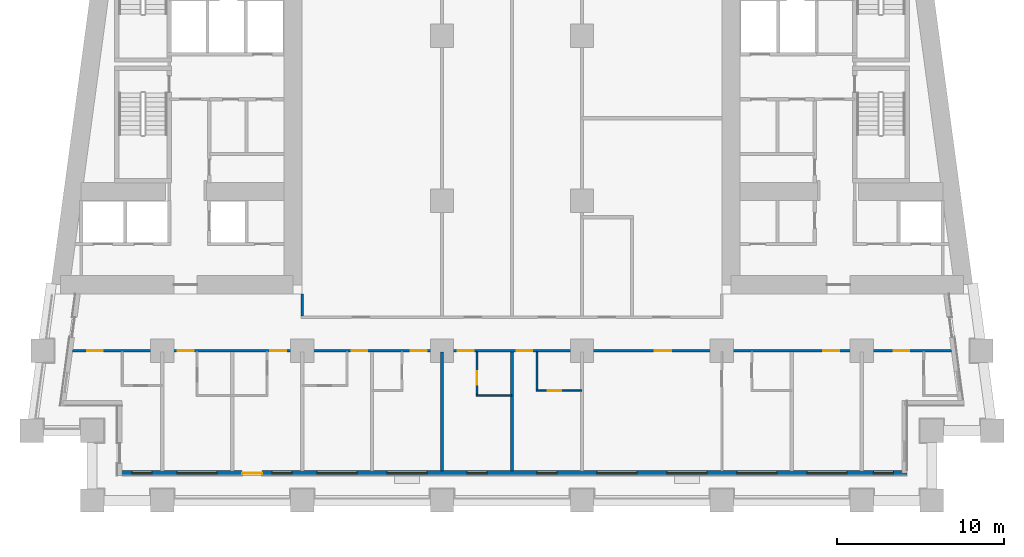
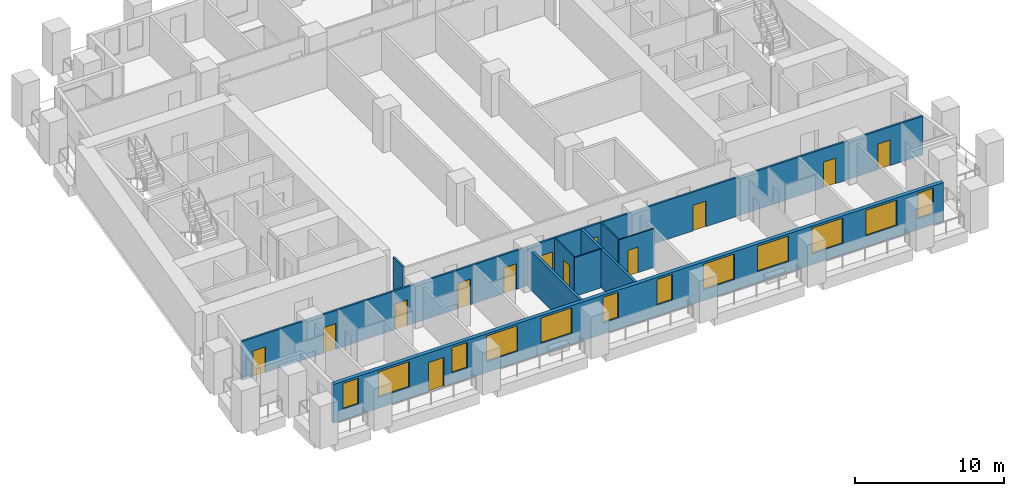
# One storey, part 3 of 13: 13 doors, 12 windows, 9 walls, 25 openings.
"""IFC4 building model written with IfcOpenShell, lengths in metres."""

from ifc_helpers import new_model, si_unit, direction, frame, frame_2d, origin, place, context, subcontext, project, spatial, rectangle, extrude, material, layer, layer_set, type_object, element, fill, save


model = new_model("IFC4")

# Units and contexts
model_context = context("Model", 3, precision=1e-05, world=origin(), true_north=direction((0.0, 1.0)))
body_context = subcontext(model_context, "Body", "Model", "MODEL_VIEW")
ifc_project = project(units=[si_unit("LENGTHUNIT", "METRE"), si_unit("AREAUNIT", "SQUARE_METRE"), si_unit("VOLUMEUNIT", "CUBIC_METRE"), si_unit("PLANEANGLEUNIT", "RADIAN"), si_unit("MASSUNIT", "GRAM", prefix="KILO")], contexts=[model_context])

# Site, building, storey
site_placement = place(None, origin())
site = spatial("IfcSite", under=ifc_project, at=site_placement, CompositionType="ELEMENT")
building_placement = place(site_placement, origin())
building = spatial("IfcBuilding", under=site, at=building_placement, Name="Candeia Pilgrim Tower and Theatre", CompositionType="ELEMENT")
storey_placement = place(building_placement, frame((0.0, 0.0, 70.5)))
storey = spatial("IfcBuildingStorey", under=building, at=storey_placement, Name="L15", CompositionType="ELEMENT", Elevation=70.5)

# Wall, openings, door, windows
ifc_material_1 = material(Name="Ceramic block masonry", Category="masonry")
ifc_layer_1 = layer(ifc_material_1, 0.300048828125)
ifc_layer_set_1 = layer_set([ifc_layer_1], Name="EW1 glazing-line wall 300")
wall_type_1 = type_object("IfcWallType", Name="EW1 glazing-line wall 300", PredefinedType="SOLIDWALL", material=ifc_layer_set_1)
wall_1_placement = place(storey_placement, frame((89.85009765625, 99.64990234375, 0.0), z_axis=(0.0, 0.0, 1.0), x_axis=(1.0, 0.0, 0.0)))
wall_1 = element("IfcWall", 1, at=wall_1_placement, inside=storey, type_object=wall_type_1, Name="External wall L15-0.0", PredefinedType="SOLIDWALL", context=body_context, shape_type="SweptSolid", body=[
    extrude(rectangle(XDim=47.25, YDim=0.300048828125, at=frame_2d((23.625, 0.0))), origin(), (0.0, 0.0, 1.0), 3.179931640625),
])
opening_1_placement = place(wall_1_placement, frame((0.72509765625, 0.0, 0.89990234375)))
opening_1 = element("IfcOpeningElement", 2, at=opening_1_placement, cuts=wall_1, Name="Opening W-B", PredefinedType="OPENING", context=body_context, shape_type="SweptSolid", body=[
    extrude(rectangle(XDim=1.199951171875, YDim=2.10009765625, at=frame_2d((0.60009765625, 1.050048828125))), frame((0.0, 0.16015625, 0.0), z_axis=(0.0, -1.0, 0.0), x_axis=(1.0, 0.0, 0.0)), (0.0, 0.0, 1.0), 0.320068359375),
])
opening_2_placement = place(wall_1_placement, frame((3.449951171875, 0.0, 0.89990234375)))
opening_2 = element("IfcOpeningElement", 3, at=opening_2_placement, cuts=wall_1, Name="Opening W-A", PredefinedType="OPENING", context=body_context, shape_type="SweptSolid", body=[
    extrude(rectangle(XDim=2.39990234375, YDim=2.10009765625, at=frame_2d((1.199951171875, 1.050048828125))), frame((0.0, 0.16015625, 0.0), z_axis=(0.0, -1.0, 0.0), x_axis=(1.0, 0.0, 0.0)), (0.0, 0.0, 1.0), 0.320068359375),
])
opening_3_placement = place(wall_1_placement, frame((7.35009765625, 0.0, 0.0)))
opening_3 = element("IfcOpeningElement", 4, at=opening_3_placement, cuts=wall_1, Name="Opening L15-ED166", PredefinedType="OPENING", context=body_context, shape_type="SweptSolid", body=[
    extrude(rectangle(XDim=1.199951171875, YDim=2.39990234375, at=frame_2d((0.60009765625, 1.199951171875))), frame((0.0, 0.16015625, 0.0), z_axis=(0.0, -1.0, 0.0), x_axis=(1.0, 0.0, 0.0)), (0.0, 0.0, 1.0), 0.320068359375),
])
opening_4_placement = place(wall_1_placement, frame((9.14990234375, 0.0, 0.89990234375)))
opening_4 = element("IfcOpeningElement", 5, at=opening_4_placement, cuts=wall_1, Name="Opening W-B", PredefinedType="OPENING", context=body_context, shape_type="SweptSolid", body=[
    extrude(rectangle(XDim=1.199951171875, YDim=2.10009765625, at=frame_2d((0.60009765625, 1.050048828125))), frame((0.0, 0.16015625, 0.0), z_axis=(0.0, -1.0, 0.0), x_axis=(1.0, 0.0, 0.0)), (0.0, 0.0, 1.0), 0.320068359375),
])
opening_5_placement = place(wall_1_placement, frame((11.85009765625, 0.0, 0.89990234375)))
opening_5 = element("IfcOpeningElement", 6, at=opening_5_placement, cuts=wall_1, Name="Opening W-A", PredefinedType="OPENING", context=body_context, shape_type="SweptSolid", body=[
    extrude(rectangle(XDim=2.39990234375, YDim=2.10009765625, at=frame_2d((1.199951171875, 1.050048828125))), frame((0.0, 0.16015625, 0.0), z_axis=(0.0, -1.0, 0.0), x_axis=(1.0, 0.0, 0.0)), (0.0, 0.0, 1.0), 0.320068359375),
])
opening_6_placement = place(wall_1_placement, frame((16.050048828125, 0.0, 0.89990234375)))
opening_6 = element("IfcOpeningElement", 7, at=opening_6_placement, cuts=wall_1, Name="Opening W-A", PredefinedType="OPENING", context=body_context, shape_type="SweptSolid", body=[
    extrude(rectangle(XDim=2.39990234375, YDim=2.10009765625, at=frame_2d((1.199951171875, 1.050048828125))), frame((0.0, 0.16015625, 0.0), z_axis=(0.0, -1.0, 0.0), x_axis=(1.0, 0.0, 0.0)), (0.0, 0.0, 1.0), 0.320068359375),
])
opening_7_placement = place(wall_1_placement, frame((20.85009765625, 0.0, 0.89990234375)))
opening_7 = element("IfcOpeningElement", 8, at=opening_7_placement, cuts=wall_1, Name="Opening W-B", PredefinedType="OPENING", context=body_context, shape_type="SweptSolid", body=[
    extrude(rectangle(XDim=1.199951171875, YDim=2.10009765625, at=frame_2d((0.60009765625, 1.050048828125))), frame((0.0, 0.16015625, 0.0), z_axis=(0.0, -1.0, 0.0), x_axis=(1.0, 0.0, 0.0)), (0.0, 0.0, 1.0), 0.320068359375),
])
opening_8_placement = place(wall_1_placement, frame((25.050048828125, 0.0, 0.89990234375)))
opening_8 = element("IfcOpeningElement", 9, at=opening_8_placement, cuts=wall_1, Name="Opening W-B", PredefinedType="OPENING", context=body_context, shape_type="SweptSolid", body=[
    extrude(rectangle(XDim=1.199951171875, YDim=2.10009765625, at=frame_2d((0.60009765625, 1.050048828125))), frame((0.0, 0.16015625, 0.0), z_axis=(0.0, -1.0, 0.0), x_axis=(1.0, 0.0, 0.0)), (0.0, 0.0, 1.0), 0.320068359375),
])
opening_9_placement = place(wall_1_placement, frame((28.64990234375, 0.0, 0.89990234375)))
opening_9 = element("IfcOpeningElement", 10, at=opening_9_placement, cuts=wall_1, Name="Opening W-A", PredefinedType="OPENING", context=body_context, shape_type="SweptSolid", body=[
    extrude(rectangle(XDim=2.39990234375, YDim=2.10009765625, at=frame_2d((1.199951171875, 1.050048828125))), frame((0.0, 0.16015625, 0.0), z_axis=(0.0, -1.0, 0.0), x_axis=(1.0, 0.0, 0.0)), (0.0, 0.0, 1.0), 0.320068359375),
])
opening_10_placement = place(wall_1_placement, frame((32.85009765625, 0.0, 0.89990234375)))
opening_10 = element("IfcOpeningElement", 11, at=opening_10_placement, cuts=wall_1, Name="Opening W-A", PredefinedType="OPENING", context=body_context, shape_type="SweptSolid", body=[
    extrude(rectangle(XDim=2.39990234375, YDim=2.10009765625, at=frame_2d((1.199951171875, 1.050048828125))), frame((0.0, 0.16015625, 0.0), z_axis=(0.0, -1.0, 0.0), x_axis=(1.0, 0.0, 0.0)), (0.0, 0.0, 1.0), 0.320068359375),
])
opening_11_placement = place(wall_1_placement, frame((37.050048828125, 0.0, 0.89990234375)))
opening_11 = element("IfcOpeningElement", 12, at=opening_11_placement, cuts=wall_1, Name="Opening W-A", PredefinedType="OPENING", context=body_context, shape_type="SweptSolid", body=[
    extrude(rectangle(XDim=2.39990234375, YDim=2.10009765625, at=frame_2d((1.199951171875, 1.050048828125))), frame((0.0, 0.16015625, 0.0), z_axis=(0.0, -1.0, 0.0), x_axis=(1.0, 0.0, 0.0)), (0.0, 0.0, 1.0), 0.320068359375),
])
opening_12_placement = place(wall_1_placement, frame((41.25, 0.0, 0.89990234375)))
opening_12 = element("IfcOpeningElement", 13, at=opening_12_placement, cuts=wall_1, Name="Opening W-A", PredefinedType="OPENING", context=body_context, shape_type="SweptSolid", body=[
    extrude(rectangle(XDim=2.39990234375, YDim=2.10009765625, at=frame_2d((1.199951171875, 1.050048828125))), frame((0.0, 0.16015625, 0.0), z_axis=(0.0, -1.0, 0.0), x_axis=(1.0, 0.0, 0.0)), (0.0, 0.0, 1.0), 0.320068359375),
])
opening_13_placement = place(wall_1_placement, frame((45.25, 0.0, 0.89990234375)))
opening_13 = element("IfcOpeningElement", 14, at=opening_13_placement, cuts=wall_1, Name="Opening W-B", PredefinedType="OPENING", context=body_context, shape_type="SweptSolid", body=[
    extrude(rectangle(XDim=1.199951171875, YDim=2.10009765625, at=frame_2d((0.60009765625, 1.050048828125))), frame((0.0, 0.16015625, 0.0), z_axis=(0.0, -1.0, 0.0), x_axis=(1.0, 0.0, 0.0)), (0.0, 0.0, 1.0), 0.320068359375),
])
ifc_material_2 = material(Name="Aluminium framed glazed door", Category="aluminium")
door_type_1 = type_object("IfcDoorType", Name="Loggia door 1200x2400", OperationType="DOUBLE_DOOR_SINGLE_SWING", PredefinedType="DOOR", material=ifc_material_2)
door_1_placement = place(opening_3_placement, origin())
door_1 = element("IfcDoor", 15, at=door_1_placement, inside=storey, type_object=door_type_1, Name="Loggia door L15-ED166", OperationType="DOUBLE_DOOR_SINGLE_SWING", OverallHeight=2.39990234375, OverallWidth=1.199951171875, PredefinedType="DOOR", context=body_context, shape_type="SweptSolid", body=[
    extrude(rectangle(XDim=1.199951171875, YDim=2.39990234375, at=frame_2d((0.60009765625, 1.199951171875))), frame((0.0, 0.02490234375, 0.0), z_axis=(0.0, -1.0, 0.0), x_axis=(1.0, 0.0, 0.0)), (0.0, 0.0, 1.0), 0.050048828125),
])
fill(opening_3, door_1)
ifc_material_3 = material(Name="Aluminium framed double glazing", Category="aluminium")
window_type_1 = type_object("IfcWindowType", Name="W-A window 2400x2100", PartitioningType="DOUBLE_PANEL_VERTICAL", PredefinedType="WINDOW", material=ifc_material_3)
window_1_placement = place(opening_2_placement, origin())
window_1 = element("IfcWindow", 16, at=window_1_placement, inside=storey, type_object=window_type_1, Name="Window W-A L15", OverallHeight=2.10009765625, OverallWidth=2.39990234375, PartitioningType="SINGLE_PANEL", PredefinedType="WINDOW", context=body_context, shape_type="SweptSolid", body=[
    extrude(rectangle(XDim=2.39990234375, YDim=2.10009765625, at=frame_2d((1.199951171875, 1.050048828125))), frame((0.0, 0.030029296875, 0.0), z_axis=(0.0, -1.0, 0.0), x_axis=(1.0, 0.0, 0.0)), (0.0, 0.0, 1.0), 0.06005859375),
])
fill(opening_2, window_1)
window_2_placement = place(opening_5_placement, origin())
window_2 = element("IfcWindow", 17, at=window_2_placement, inside=storey, type_object=window_type_1, Name="Window W-A L15", OverallHeight=2.10009765625, OverallWidth=2.39990234375, PartitioningType="SINGLE_PANEL", PredefinedType="WINDOW", context=body_context, shape_type="SweptSolid", body=[
    extrude(rectangle(XDim=2.39990234375, YDim=2.10009765625, at=frame_2d((1.199951171875, 1.050048828125))), frame((0.0, 0.030029296875, 0.0), z_axis=(0.0, -1.0, 0.0), x_axis=(1.0, 0.0, 0.0)), (0.0, 0.0, 1.0), 0.06005859375),
])
fill(opening_5, window_2)
window_3_placement = place(opening_6_placement, origin())
window_3 = element("IfcWindow", 18, at=window_3_placement, inside=storey, type_object=window_type_1, Name="Window W-A L15", OverallHeight=2.10009765625, OverallWidth=2.39990234375, PartitioningType="SINGLE_PANEL", PredefinedType="WINDOW", context=body_context, shape_type="SweptSolid", body=[
    extrude(rectangle(XDim=2.39990234375, YDim=2.10009765625, at=frame_2d((1.199951171875, 1.050048828125))), frame((0.0, 0.030029296875, 0.0), z_axis=(0.0, -1.0, 0.0), x_axis=(1.0, 0.0, 0.0)), (0.0, 0.0, 1.0), 0.06005859375),
])
fill(opening_6, window_3)
window_4_placement = place(opening_9_placement, origin())
window_4 = element("IfcWindow", 19, at=window_4_placement, inside=storey, type_object=window_type_1, Name="Window W-A L15", OverallHeight=2.10009765625, OverallWidth=2.39990234375, PartitioningType="SINGLE_PANEL", PredefinedType="WINDOW", context=body_context, shape_type="SweptSolid", body=[
    extrude(rectangle(XDim=2.39990234375, YDim=2.10009765625, at=frame_2d((1.199951171875, 1.050048828125))), frame((0.0, 0.030029296875, 0.0), z_axis=(0.0, -1.0, 0.0), x_axis=(1.0, 0.0, 0.0)), (0.0, 0.0, 1.0), 0.06005859375),
])
fill(opening_9, window_4)
window_5_placement = place(opening_10_placement, origin())
window_5 = element("IfcWindow", 20, at=window_5_placement, inside=storey, type_object=window_type_1, Name="Window W-A L15", OverallHeight=2.10009765625, OverallWidth=2.39990234375, PartitioningType="SINGLE_PANEL", PredefinedType="WINDOW", context=body_context, shape_type="SweptSolid", body=[
    extrude(rectangle(XDim=2.39990234375, YDim=2.10009765625, at=frame_2d((1.199951171875, 1.050048828125))), frame((0.0, 0.030029296875, 0.0), z_axis=(0.0, -1.0, 0.0), x_axis=(1.0, 0.0, 0.0)), (0.0, 0.0, 1.0), 0.06005859375),
])
fill(opening_10, window_5)
window_6_placement = place(opening_11_placement, origin())
window_6 = element("IfcWindow", 21, at=window_6_placement, inside=storey, type_object=window_type_1, Name="Window W-A L15", OverallHeight=2.10009765625, OverallWidth=2.39990234375, PartitioningType="SINGLE_PANEL", PredefinedType="WINDOW", context=body_context, shape_type="SweptSolid", body=[
    extrude(rectangle(XDim=2.39990234375, YDim=2.10009765625, at=frame_2d((1.199951171875, 1.050048828125))), frame((0.0, 0.030029296875, 0.0), z_axis=(0.0, -1.0, 0.0), x_axis=(1.0, 0.0, 0.0)), (0.0, 0.0, 1.0), 0.06005859375),
])
fill(opening_11, window_6)
window_7_placement = place(opening_12_placement, origin())
window_7 = element("IfcWindow", 22, at=window_7_placement, inside=storey, type_object=window_type_1, Name="Window W-A L15", OverallHeight=2.10009765625, OverallWidth=2.39990234375, PartitioningType="SINGLE_PANEL", PredefinedType="WINDOW", context=body_context, shape_type="SweptSolid", body=[
    extrude(rectangle(XDim=2.39990234375, YDim=2.10009765625, at=frame_2d((1.199951171875, 1.050048828125))), frame((0.0, 0.030029296875, 0.0), z_axis=(0.0, -1.0, 0.0), x_axis=(1.0, 0.0, 0.0)), (0.0, 0.0, 1.0), 0.06005859375),
])
fill(opening_12, window_7)
window_type_2 = type_object("IfcWindowType", Name="W-B window 1200x2100", PartitioningType="SINGLE_PANEL", PredefinedType="WINDOW", material=ifc_material_3)
window_8_placement = place(opening_1_placement, origin())
window_8 = element("IfcWindow", 23, at=window_8_placement, inside=storey, type_object=window_type_2, Name="Window W-B L15", OverallHeight=2.10009765625, OverallWidth=1.199951171875, PartitioningType="SINGLE_PANEL", PredefinedType="WINDOW", context=body_context, shape_type="SweptSolid", body=[
    extrude(rectangle(XDim=1.199951171875, YDim=2.10009765625, at=frame_2d((0.60009765625, 1.050048828125))), frame((0.0, 0.030029296875, 0.0), z_axis=(0.0, -1.0, 0.0), x_axis=(1.0, 0.0, 0.0)), (0.0, 0.0, 1.0), 0.06005859375),
])
fill(opening_1, window_8)
window_9_placement = place(opening_4_placement, origin())
window_9 = element("IfcWindow", 24, at=window_9_placement, inside=storey, type_object=window_type_2, Name="Window W-B L15", OverallHeight=2.10009765625, OverallWidth=1.199951171875, PartitioningType="SINGLE_PANEL", PredefinedType="WINDOW", context=body_context, shape_type="SweptSolid", body=[
    extrude(rectangle(XDim=1.199951171875, YDim=2.10009765625, at=frame_2d((0.60009765625, 1.050048828125))), frame((0.0, 0.030029296875, 0.0), z_axis=(0.0, -1.0, 0.0), x_axis=(1.0, 0.0, 0.0)), (0.0, 0.0, 1.0), 0.06005859375),
])
fill(opening_4, window_9)
window_10_placement = place(opening_7_placement, origin())
window_10 = element("IfcWindow", 25, at=window_10_placement, inside=storey, type_object=window_type_2, Name="Window W-B L15", OverallHeight=2.10009765625, OverallWidth=1.199951171875, PartitioningType="SINGLE_PANEL", PredefinedType="WINDOW", context=body_context, shape_type="SweptSolid", body=[
    extrude(rectangle(XDim=1.199951171875, YDim=2.10009765625, at=frame_2d((0.60009765625, 1.050048828125))), frame((0.0, 0.030029296875, 0.0), z_axis=(0.0, -1.0, 0.0), x_axis=(1.0, 0.0, 0.0)), (0.0, 0.0, 1.0), 0.06005859375),
])
fill(opening_7, window_10)
window_11_placement = place(opening_8_placement, origin())
window_11 = element("IfcWindow", 26, at=window_11_placement, inside=storey, type_object=window_type_2, Name="Window W-B L15", OverallHeight=2.10009765625, OverallWidth=1.199951171875, PartitioningType="SINGLE_PANEL", PredefinedType="WINDOW", context=body_context, shape_type="SweptSolid", body=[
    extrude(rectangle(XDim=1.199951171875, YDim=2.10009765625, at=frame_2d((0.60009765625, 1.050048828125))), frame((0.0, 0.030029296875, 0.0), z_axis=(0.0, -1.0, 0.0), x_axis=(1.0, 0.0, 0.0)), (0.0, 0.0, 1.0), 0.06005859375),
])
fill(opening_8, window_11)
window_12_placement = place(opening_13_placement, origin())
window_12 = element("IfcWindow", 27, at=window_12_placement, inside=storey, type_object=window_type_2, Name="Window W-B L15", OverallHeight=2.10009765625, OverallWidth=1.199951171875, PartitioningType="SINGLE_PANEL", PredefinedType="WINDOW", context=body_context, shape_type="SweptSolid", body=[
    extrude(rectangle(XDim=1.199951171875, YDim=2.10009765625, at=frame_2d((0.60009765625, 1.050048828125))), frame((0.0, 0.030029296875, 0.0), z_axis=(0.0, -1.0, 0.0), x_axis=(1.0, 0.0, 0.0)), (0.0, 0.0, 1.0), 0.06005859375),
])
fill(opening_13, window_12)

# Wall
ifc_material_4 = material(Name="Gypsum board partition on steel studs", Category="steel")
ifc_layer_2 = layer(ifc_material_4, 0.10009765625)
ifc_layer_set_2 = layer_set([ifc_layer_2], Name="PW-100 room partition")
wall_type_2 = type_object("IfcWallType", Name="PW-100 room partition", PredefinedType="PARTITIONING", material=ifc_layer_set_2)
wall_2_placement = place(storey_placement, frame((111.25, 104.300048828125, 0.0), z_axis=(0.0, 0.0, 1.0), x_axis=(1.0, 0.0, 0.0)))
element("IfcWall", 28, at=wall_2_placement, inside=storey, type_object=wall_type_2, Name="Room partition L15-002", PredefinedType="PARTITIONING", context=body_context, shape_type="SweptSolid", body=[
    extrude(rectangle(XDim=2.14990234375, YDim=0.10009765625, at=frame_2d((1.074951171875, 0.0))), origin(), (0.0, 0.0, 1.0), 3.179931640625),
])

# Wall, opening, door
wall_3_placement = place(storey_placement, frame((114.85009765625, 104.60009765625, 0.0), z_axis=(0.0, 0.0, 1.0), x_axis=(1.0, 0.0, 0.0)))
wall_3 = element("IfcWall", 29, at=wall_3_placement, inside=storey, type_object=wall_type_2, Name="Room partition L15-005", PredefinedType="PARTITIONING", context=body_context, shape_type="SweptSolid", body=[
    extrude(rectangle(XDim=2.75, YDim=0.10009765625, at=frame_2d((1.375, 0.0))), origin(), (0.0, 0.0, 1.0), 3.179931640625),
])
opening_14_placement = place(wall_3_placement, frame((0.699951171875, 0.0, 0.0)))
opening_14 = element("IfcOpeningElement", 30, at=opening_14_placement, cuts=wall_3, Name="Opening L15-D030", PredefinedType="OPENING", context=body_context, shape_type="SweptSolid", body=[
    extrude(rectangle(XDim=0.800048828125, YDim=2.10009765625, at=frame_2d((0.39990234375, 1.050048828125))), frame((0.0, 0.06005859375, 0.0), z_axis=(0.0, -1.0, 0.0), x_axis=(1.0, 0.0, 0.0)), (0.0, 0.0, 1.0), 0.1201171875),
])
ifc_material_5 = material(Name="Timber door leaf", Category="wood")
door_type_2 = type_object("IfcDoorType", Name="D-800", OperationType="NOTDEFINED", PredefinedType="DOOR", material=ifc_material_5)
door_2_placement = place(opening_14_placement, origin())
door_2 = element("IfcDoor", 31, at=door_2_placement, inside=storey, type_object=door_type_2, Name="Door L15-D030", OperationType="SINGLE_SWING_LEFT", OverallHeight=2.10009765625, OverallWidth=0.800048828125, PredefinedType="DOOR", context=body_context, shape_type="SweptSolid", body=[
    extrude(rectangle(XDim=0.800048828125, YDim=2.10009765625, at=frame_2d((0.39990234375, 1.050048828125))), frame((0.0, 0.02490234375, 0.0), z_axis=(0.0, -1.0, 0.0), x_axis=(1.0, 0.0, 0.0)), (0.0, 0.0, 1.0), 0.050048828125),
])
fill(opening_14, door_2)

wall_4_placement = place(storey_placement, frame((111.300048828125, 104.35009765625, 0.0), z_axis=(0.0, 0.0, 1.0), x_axis=(0.0, 1.0, 0.0)))
wall_4 = element("IfcWall", 32, at=wall_4_placement, inside=storey, type_object=wall_type_2, Name="Room partition L15-078", PredefinedType="PARTITIONING", context=body_context, shape_type="SweptSolid", body=[
    extrude(rectangle(XDim=2.574951171875, YDim=0.10009765625, at=frame_2d((1.28759765625, 0.0))), origin(), (0.0, 0.0, 1.0), 3.179931640625),
])
opening_15_placement = place(wall_4_placement, frame((0.60009765625, 0.0, 0.0)))
opening_15 = element("IfcOpeningElement", 33, at=opening_15_placement, cuts=wall_4, Name="Opening L15-D028", PredefinedType="OPENING", context=body_context, shape_type="SweptSolid", body=[
    extrude(rectangle(XDim=0.800048828125, YDim=2.10009765625, at=frame_2d((0.39990234375, 1.050048828125))), frame((0.0, 0.06005859375, 0.0), z_axis=(0.0, -1.0, 0.0), x_axis=(1.0, 0.0, 0.0)), (0.0, 0.0, 1.0), 0.1201171875),
])
door_3_placement = place(opening_15_placement, origin())
door_3 = element("IfcDoor", 34, at=door_3_placement, inside=storey, type_object=door_type_2, Name="Door L15-D028", OperationType="SINGLE_SWING_LEFT", OverallHeight=2.10009765625, OverallWidth=0.800048828125, PredefinedType="DOOR", context=body_context, shape_type="SweptSolid", body=[
    extrude(rectangle(XDim=0.800048828125, YDim=2.10009765625, at=frame_2d((0.39990234375, 1.050048828125))), frame((0.0, 0.02490234375, 0.0), z_axis=(0.0, -1.0, 0.0), x_axis=(1.0, 0.0, 0.0)), (0.0, 0.0, 1.0), 0.050048828125),
])
fill(opening_15, door_3)

# Wall
wall_5_placement = place(storey_placement, frame((114.89990234375, 104.64990234375, 0.0), z_axis=(0.0, 0.0, 1.0), x_axis=(0.0, 1.0, 0.0)))
element("IfcWall", 35, at=wall_5_placement, inside=storey, type_object=wall_type_2, Name="Room partition L15-081", PredefinedType="PARTITIONING", context=body_context, shape_type="SweptSolid", body=[
    extrude(rectangle(XDim=2.275146484375, YDim=0.10009765625, at=frame_2d((1.1376953125, 0.0))), origin(), (0.0, 0.0, 1.0), 3.179931640625),
])

# Wall, openings, doors
ifc_layer_3 = layer(ifc_material_4, 0.14990234375)
ifc_layer_set_3 = layer_set([ifc_layer_3], Name="PW-150 unit wall")
wall_type_3 = type_object("IfcWallType", Name="PW-150 unit wall", PredefinedType="PARTITIONING", material=ifc_layer_set_3)
wall_6_placement = place(storey_placement, frame((87.017578125, 107.0, 0.0), z_axis=(0.0, 0.0, 1.0), x_axis=(1.0, 0.0, 0.0)))
wall_6 = element("IfcWall", 36, at=wall_6_placement, inside=storey, type_object=wall_type_3, Name="Unit wall L15-009", PredefinedType="PARTITIONING", context=body_context, shape_type="SweptSolid", body=[
    extrude(rectangle(XDim=52.7646484375, YDim=0.14990234375, at=frame_2d((26.38232421875, 0.0))), origin(), (0.0, 0.0, 1.0), 3.179931640625),
])
opening_16_placement = place(wall_6_placement, frame((0.870361328125, 0.0, 0.0)))
opening_16 = element("IfcOpeningElement", 37, at=opening_16_placement, cuts=wall_6, Name="Opening L15-D017", PredefinedType="OPENING", context=body_context, shape_type="SweptSolid", body=[
    extrude(rectangle(XDim=0.949951171875, YDim=2.10009765625, at=frame_2d((0.47509765625, 1.050048828125))), frame((0.0, 0.0849609375, 0.0), z_axis=(0.0, -1.0, 0.0), x_axis=(1.0, 0.0, 0.0)), (0.0, 0.0, 1.0), 0.169921875),
])
opening_17_placement = place(wall_6_placement, frame((6.332275390625, 0.0, 0.0)))
opening_17 = element("IfcOpeningElement", 38, at=opening_17_placement, cuts=wall_6, Name="Opening L15-D019", PredefinedType="OPENING", context=body_context, shape_type="SweptSolid", body=[
    extrude(rectangle(XDim=0.949951171875, YDim=2.10009765625, at=frame_2d((0.47509765625, 1.050048828125))), frame((0.0, 0.0849609375, 0.0), z_axis=(0.0, -1.0, 0.0), x_axis=(1.0, 0.0, 0.0)), (0.0, 0.0, 1.0), 0.169921875),
])
opening_18_placement = place(wall_6_placement, frame((11.88232421875, 0.0, 0.0)))
opening_18 = element("IfcOpeningElement", 39, at=opening_18_placement, cuts=wall_6, Name="Opening L15-D021", PredefinedType="OPENING", context=body_context, shape_type="SweptSolid", body=[
    extrude(rectangle(XDim=0.949951171875, YDim=2.10009765625, at=frame_2d((0.47509765625, 1.050048828125))), frame((0.0, 0.0849609375, 0.0), z_axis=(0.0, -1.0, 0.0), x_axis=(1.0, 0.0, 0.0)), (0.0, 0.0, 1.0), 0.169921875),
])
opening_19_placement = place(wall_6_placement, frame((16.75732421875, 0.0, 0.0)))
opening_19 = element("IfcOpeningElement", 40, at=opening_19_placement, cuts=wall_6, Name="Opening L15-D023", PredefinedType="OPENING", context=body_context, shape_type="SweptSolid", body=[
    extrude(rectangle(XDim=0.949951171875, YDim=2.10009765625, at=frame_2d((0.47509765625, 1.050048828125))), frame((0.0, 0.0849609375, 0.0), z_axis=(0.0, -1.0, 0.0), x_axis=(1.0, 0.0, 0.0)), (0.0, 0.0, 1.0), 0.169921875),
])
opening_20_placement = place(wall_6_placement, frame((20.3193359375, 0.0, 0.0)))
opening_20 = element("IfcOpeningElement", 41, at=opening_20_placement, cuts=wall_6, Name="Opening L15-D025", PredefinedType="OPENING", context=body_context, shape_type="SweptSolid", body=[
    extrude(rectangle(XDim=0.949951171875, YDim=2.10009765625, at=frame_2d((0.47509765625, 1.050048828125))), frame((0.0, 0.0849609375, 0.0), z_axis=(0.0, -1.0, 0.0), x_axis=(1.0, 0.0, 0.0)), (0.0, 0.0, 1.0), 0.169921875),
])
opening_21_placement = place(wall_6_placement, frame((23.13232421875, 0.0, 0.0)))
opening_21 = element("IfcOpeningElement", 42, at=opening_21_placement, cuts=wall_6, Name="Opening L15-D027", PredefinedType="OPENING", context=body_context, shape_type="SweptSolid", body=[
    extrude(rectangle(XDim=0.949951171875, YDim=2.10009765625, at=frame_2d((0.47509765625, 1.050048828125))), frame((0.0, 0.0849609375, 0.0), z_axis=(0.0, -1.0, 0.0), x_axis=(1.0, 0.0, 0.0)), (0.0, 0.0, 1.0), 0.169921875),
])
opening_22_placement = place(wall_6_placement, frame((26.6572265625, 0.0, 0.0)))
opening_22 = element("IfcOpeningElement", 43, at=opening_22_placement, cuts=wall_6, Name="Opening L15-D029", PredefinedType="OPENING", context=body_context, shape_type="SweptSolid", body=[
    extrude(rectangle(XDim=0.949951171875, YDim=2.10009765625, at=frame_2d((0.47509765625, 1.050048828125))), frame((0.0, 0.0849609375, 0.0), z_axis=(0.0, -1.0, 0.0), x_axis=(1.0, 0.0, 0.0)), (0.0, 0.0, 1.0), 0.169921875),
])
opening_23_placement = place(wall_6_placement, frame((34.952392578125, 0.0, 0.0)))
opening_23 = element("IfcOpeningElement", 44, at=opening_23_placement, cuts=wall_6, Name="Opening L15-D031", PredefinedType="OPENING", context=body_context, shape_type="SweptSolid", body=[
    extrude(rectangle(XDim=1.0, YDim=2.10009765625, at=frame_2d((0.5, 1.050048828125))), frame((0.0, 0.0849609375, 0.0), z_axis=(0.0, -1.0, 0.0), x_axis=(1.0, 0.0, 0.0)), (0.0, 0.0, 1.0), 0.169921875),
])
opening_24_placement = place(wall_6_placement, frame((45.062255859375, 0.0, 0.0)))
opening_24 = element("IfcOpeningElement", 45, at=opening_24_placement, cuts=wall_6, Name="Opening L15-D034", PredefinedType="OPENING", context=body_context, shape_type="SweptSolid", body=[
    extrude(rectangle(XDim=0.949951171875, YDim=2.10009765625, at=frame_2d((0.47509765625, 1.050048828125))), frame((0.0, 0.0849609375, 0.0), z_axis=(0.0, -1.0, 0.0), x_axis=(1.0, 0.0, 0.0)), (0.0, 0.0, 1.0), 0.169921875),
])
opening_25_placement = place(wall_6_placement, frame((49.285400390625, 0.0, 0.0)))
opening_25 = element("IfcOpeningElement", 46, at=opening_25_placement, cuts=wall_6, Name="Opening L15-D035", PredefinedType="OPENING", context=body_context, shape_type="SweptSolid", body=[
    extrude(rectangle(XDim=0.949951171875, YDim=2.10009765625, at=frame_2d((0.47509765625, 1.050048828125))), frame((0.0, 0.0849609375, 0.0), z_axis=(0.0, -1.0, 0.0), x_axis=(1.0, 0.0, 0.0)), (0.0, 0.0, 1.0), 0.169921875),
])
ifc_material_6 = material(Name="Steel fire door set", Category="steel")
door_type_3 = type_object("IfcDoorType", Name="D-1000-FD30S", OperationType="NOTDEFINED", PredefinedType="DOOR", material=ifc_material_6)
door_4_placement = place(opening_23_placement, origin())
door_4 = element("IfcDoor", 47, at=door_4_placement, inside=storey, type_object=door_type_3, Name="Door L15-D031", OperationType="SINGLE_SWING_RIGHT", OverallHeight=2.10009765625, OverallWidth=1.0, PredefinedType="DOOR", context=body_context, shape_type="SweptSolid", body=[
    extrude(rectangle(XDim=1.0, YDim=2.10009765625, at=frame_2d((0.5, 1.050048828125))), frame((0.0, 0.02490234375, 0.0), z_axis=(0.0, -1.0, 0.0), x_axis=(1.0, 0.0, 0.0)), (0.0, 0.0, 1.0), 0.050048828125),
])
fill(opening_23, door_4)
door_type_4 = type_object("IfcDoorType", Name="D-950-FD30S", OperationType="NOTDEFINED", PredefinedType="DOOR", material=ifc_material_6)
door_5_placement = place(opening_16_placement, origin())
door_5 = element("IfcDoor", 48, at=door_5_placement, inside=storey, type_object=door_type_4, Name="Door L15-D017", OperationType="SINGLE_SWING_RIGHT", OverallHeight=2.10009765625, OverallWidth=0.949951171875, PredefinedType="DOOR", context=body_context, shape_type="SweptSolid", body=[
    extrude(rectangle(XDim=0.949951171875, YDim=2.10009765625, at=frame_2d((0.47509765625, 1.050048828125))), frame((0.0, 0.02490234375, 0.0), z_axis=(0.0, -1.0, 0.0), x_axis=(1.0, 0.0, 0.0)), (0.0, 0.0, 1.0), 0.050048828125),
])
fill(opening_16, door_5)
door_6_placement = place(opening_17_placement, origin())
door_6 = element("IfcDoor", 49, at=door_6_placement, inside=storey, type_object=door_type_4, Name="Door L15-D019", OperationType="SINGLE_SWING_RIGHT", OverallHeight=2.10009765625, OverallWidth=0.949951171875, PredefinedType="DOOR", context=body_context, shape_type="SweptSolid", body=[
    extrude(rectangle(XDim=0.949951171875, YDim=2.10009765625, at=frame_2d((0.47509765625, 1.050048828125))), frame((0.0, 0.02490234375, 0.0), z_axis=(0.0, -1.0, 0.0), x_axis=(1.0, 0.0, 0.0)), (0.0, 0.0, 1.0), 0.050048828125),
])
fill(opening_17, door_6)
door_7_placement = place(opening_18_placement, origin())
door_7 = element("IfcDoor", 50, at=door_7_placement, inside=storey, type_object=door_type_4, Name="Door L15-D021", OperationType="SINGLE_SWING_RIGHT", OverallHeight=2.10009765625, OverallWidth=0.949951171875, PredefinedType="DOOR", context=body_context, shape_type="SweptSolid", body=[
    extrude(rectangle(XDim=0.949951171875, YDim=2.10009765625, at=frame_2d((0.47509765625, 1.050048828125))), frame((0.0, 0.02490234375, 0.0), z_axis=(0.0, -1.0, 0.0), x_axis=(1.0, 0.0, 0.0)), (0.0, 0.0, 1.0), 0.050048828125),
])
fill(opening_18, door_7)
door_8_placement = place(opening_19_placement, origin())
door_8 = element("IfcDoor", 51, at=door_8_placement, inside=storey, type_object=door_type_4, Name="Door L15-D023", OperationType="SINGLE_SWING_RIGHT", OverallHeight=2.10009765625, OverallWidth=0.949951171875, PredefinedType="DOOR", context=body_context, shape_type="SweptSolid", body=[
    extrude(rectangle(XDim=0.949951171875, YDim=2.10009765625, at=frame_2d((0.47509765625, 1.050048828125))), frame((0.0, 0.02490234375, 0.0), z_axis=(0.0, -1.0, 0.0), x_axis=(1.0, 0.0, 0.0)), (0.0, 0.0, 1.0), 0.050048828125),
])
fill(opening_19, door_8)
door_9_placement = place(opening_20_placement, origin())
door_9 = element("IfcDoor", 52, at=door_9_placement, inside=storey, type_object=door_type_4, Name="Door L15-D025", OperationType="SINGLE_SWING_RIGHT", OverallHeight=2.10009765625, OverallWidth=0.949951171875, PredefinedType="DOOR", context=body_context, shape_type="SweptSolid", body=[
    extrude(rectangle(XDim=0.949951171875, YDim=2.10009765625, at=frame_2d((0.47509765625, 1.050048828125))), frame((0.0, 0.02490234375, 0.0), z_axis=(0.0, -1.0, 0.0), x_axis=(1.0, 0.0, 0.0)), (0.0, 0.0, 1.0), 0.050048828125),
])
fill(opening_20, door_9)
door_10_placement = place(opening_21_placement, origin())
door_10 = element("IfcDoor", 53, at=door_10_placement, inside=storey, type_object=door_type_4, Name="Door L15-D027", OperationType="SINGLE_SWING_RIGHT", OverallHeight=2.10009765625, OverallWidth=0.949951171875, PredefinedType="DOOR", context=body_context, shape_type="SweptSolid", body=[
    extrude(rectangle(XDim=0.949951171875, YDim=2.10009765625, at=frame_2d((0.47509765625, 1.050048828125))), frame((0.0, 0.02490234375, 0.0), z_axis=(0.0, -1.0, 0.0), x_axis=(1.0, 0.0, 0.0)), (0.0, 0.0, 1.0), 0.050048828125),
])
fill(opening_21, door_10)
door_11_placement = place(opening_22_placement, origin())
door_11 = element("IfcDoor", 54, at=door_11_placement, inside=storey, type_object=door_type_4, Name="Door L15-D029", OperationType="SINGLE_SWING_RIGHT", OverallHeight=2.10009765625, OverallWidth=0.949951171875, PredefinedType="DOOR", context=body_context, shape_type="SweptSolid", body=[
    extrude(rectangle(XDim=0.949951171875, YDim=2.10009765625, at=frame_2d((0.47509765625, 1.050048828125))), frame((0.0, 0.02490234375, 0.0), z_axis=(0.0, -1.0, 0.0), x_axis=(1.0, 0.0, 0.0)), (0.0, 0.0, 1.0), 0.050048828125),
])
fill(opening_22, door_11)
door_12_placement = place(opening_24_placement, origin())
door_12 = element("IfcDoor", 55, at=door_12_placement, inside=storey, type_object=door_type_4, Name="Door L15-D034", OperationType="SINGLE_SWING_LEFT", OverallHeight=2.10009765625, OverallWidth=0.949951171875, PredefinedType="DOOR", context=body_context, shape_type="SweptSolid", body=[
    extrude(rectangle(XDim=0.949951171875, YDim=2.10009765625, at=frame_2d((0.47509765625, 1.050048828125))), frame((0.0, 0.02490234375, 0.0), z_axis=(0.0, -1.0, 0.0), x_axis=(1.0, 0.0, 0.0)), (0.0, 0.0, 1.0), 0.050048828125),
])
fill(opening_24, door_12)
door_13_placement = place(opening_25_placement, origin())
door_13 = element("IfcDoor", 56, at=door_13_placement, inside=storey, type_object=door_type_4, Name="Door L15-D035", OperationType="SINGLE_SWING_RIGHT", OverallHeight=2.10009765625, OverallWidth=0.949951171875, PredefinedType="DOOR", context=body_context, shape_type="SweptSolid", body=[
    extrude(rectangle(XDim=0.949951171875, YDim=2.10009765625, at=frame_2d((0.47509765625, 1.050048828125))), frame((0.0, 0.02490234375, 0.0), z_axis=(0.0, -1.0, 0.0), x_axis=(1.0, 0.0, 0.0)), (0.0, 0.0, 1.0), 0.050048828125),
])
fill(opening_25, door_13)

# Walls
wall_7_placement = place(storey_placement, frame((100.800048828125, 109.074951171875, 0.0), z_axis=(0.0, 0.0, 1.0), x_axis=(0.0, 1.0, 0.0)))
element("IfcWall", 57, at=wall_7_placement, inside=storey, type_object=wall_type_3, Name="Unit wall L15-068", PredefinedType="PARTITIONING", context=body_context, shape_type="SweptSolid", body=[
    extrude(rectangle(XDim=1.324951171875, YDim=0.14990234375, at=frame_2d((0.66259765625, 0.0))), origin(), (0.0, 0.0, 1.0), 3.179931640625),
])
ifc_layer_4 = layer(ifc_material_4, 0.199951171875)
ifc_layer_set_4 = layer_set([ifc_layer_4], Name="PW-200 party wall")
wall_type_4 = type_object("IfcWallType", Name="PW-200 party wall", PredefinedType="PARTITIONING", material=ifc_layer_set_4)
for number, where, z_axis, x_axis, name in (
    (58, (109.199951171875, 99.7900390625, 0.0), (0.0, 0.0, 1.0), (0.0, 1.0, 0.0), "Party wall L15-075"),
    (59, (113.39990234375, 99.7900390625, 0.0), (0.0, 0.0, 1.0), (0.0, 1.0, 0.0), "Party wall L15-079"),
):
    element("IfcWall", number, at=place(storey_placement, frame(where, z_axis=z_axis, x_axis=x_axis)), inside=storey, type_object=wall_type_4, Name=name, PredefinedType="PARTITIONING", context=body_context, shape_type="SweptSolid", body=[
        extrude(rectangle(XDim=7.135009765625, YDim=0.199951171875, at=frame_2d((3.5673828125, 0.0))), origin(), (0.0, 0.0, 1.0), 3.179931640625),
    ])

save(model, "model.ifc")
